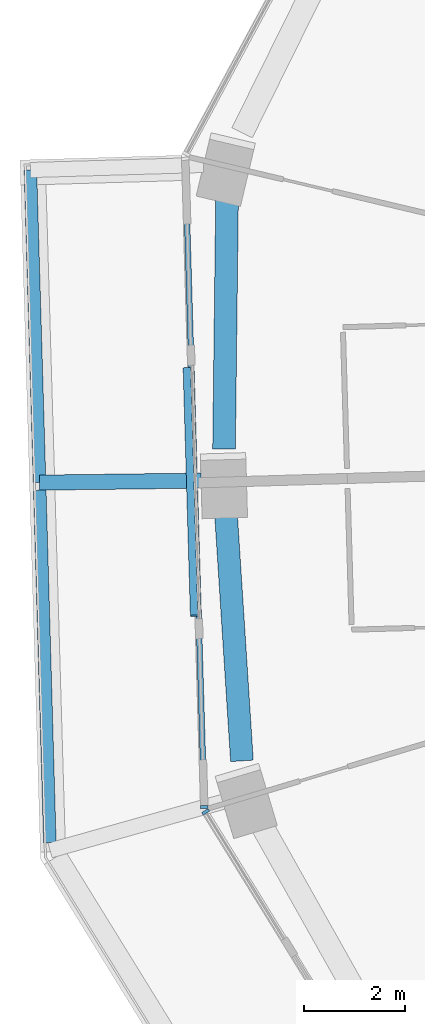
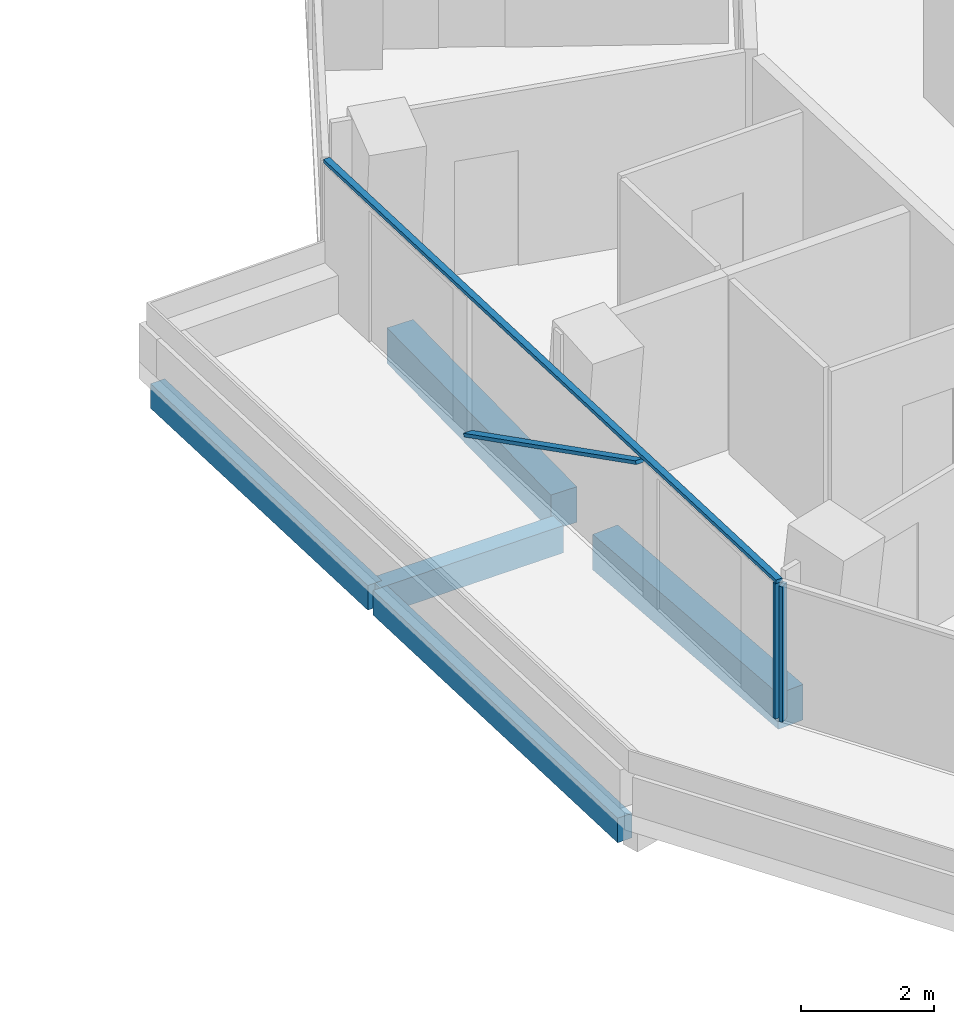
# One storey, part 4 of 22: 5 beams, 4 members, 2 elements without a shape of their own.
"""IFC4 building model written with IfcOpenShell, lengths in metres."""

from ifc_helpers import new_model, si_unit, direction, frame, origin, origin_2d, place, context, subcontext, project, spatial, rectangle, extrude, material, layer, layer_set, material_profile, profile_set, type_object, element, aggregate, save


model = new_model("IFC4")

# Units and contexts
model_context = context("Model", 3, precision=1e-05, world=origin(), true_north=direction((0.0, 1.0)))
body_context = subcontext(model_context, "Body", "Model", "MODEL_VIEW")
ifc_project = project(units=[si_unit("LENGTHUNIT", "METRE"), si_unit("AREAUNIT", "SQUARE_METRE"), si_unit("VOLUMEUNIT", "CUBIC_METRE"), si_unit("PLANEANGLEUNIT", "RADIAN"), si_unit("MASSUNIT", "GRAM", prefix="KILO")], contexts=[model_context])

# Site, building, storey
site_placement = place(None, origin())
site = spatial("IfcSite", under=ifc_project, at=site_placement, CompositionType="ELEMENT")
building_placement = place(site_placement, origin())
building = spatial("IfcBuilding", under=site, at=building_placement, Name="Verdalira Terraces Hotel", CompositionType="ELEMENT")
storey_placement = place(building_placement, frame((0.0, 0.0, 162.0)))
storey = spatial("IfcBuildingStorey", under=building, at=storey_placement, Name="L39", CompositionType="ELEMENT", Elevation=162.0)

# Beams
ifc_material_1 = material(Name="Concrete C40", Category="concrete")
ifc_material_profile_1 = material_profile(ifc_material_1, rectangle(XDim=0.300049, YDim=0.5, at=origin_2d()), Name="RC 300X500")
ifc_profile_set_1 = profile_set([ifc_material_profile_1], Name="Concrete C40")
beam_type_1 = type_object("IfcBeamType", Name="Balcony cantilever beam RC 300X500 C40", PredefinedType="BEAM", material=ifc_profile_set_1)
beam_1_placement = place(storey_placement, frame((-24.048828, -0.662842, -0.560059), z_axis=(-0.999921765, -0.012508556, 0.0), x_axis=(0.012508556, -0.999921765, 0.0)))
element("IfcBeam", 1, at=beam_1_placement, inside=storey, type_object=beam_type_1, Name="Balcony cantilever beam R12-4", PredefinedType="BEAM", context=body_context, shape_type="SweptSolid", body=[
    extrude(rectangle(XDim=0.300049, YDim=0.5, at=origin_2d()), origin(), (0.0, 0.0, 1.0), 3.200928),
])
ifc_material_2 = material(Name="Concrete C40", Category="concrete")
ifc_material_profile_2 = material_profile(ifc_material_2, rectangle(XDim=0.25, YDim=0.449951, at=origin_2d()), Name="RC 250X450")
ifc_profile_set_2 = profile_set([ifc_material_profile_2], Name="Concrete C40")
beam_type_2 = type_object("IfcBeamType", Name="Balcony edge beam RC 250X450 C40", PredefinedType="BEAM", material=ifc_profile_set_2)
beam_2_placement = place(storey_placement, frame((-27.431152, 5.494385, -0.534912), z_axis=(0.02929722, -0.999570744, 0.0), x_axis=(0.999570744, 0.02929722, 0.0)))
element("IfcBeam", 2, at=beam_2_placement, inside=storey, type_object=beam_type_2, Name="Balcony edge beam R12-2", PredefinedType="BEAM", context=body_context, shape_type="SweptSolid", body=[
    extrude(rectangle(XDim=0.25, YDim=0.449951, at=origin_2d()), origin(), (0.0, 0.0, 1.0), 6.199951),
])
beam_3_placement = place(storey_placement, frame((-27.245117, -0.852783, -0.534912), z_axis=(0.028498954, -0.999593822, 0.0), x_axis=(0.999593822, 0.028498954, 0.0)))
element("IfcBeam", 3, at=beam_3_placement, inside=storey, type_object=beam_type_2, Name="Balcony edge beam R12-3", PredefinedType="BEAM", context=body_context, shape_type="SweptSolid", body=[
    extrude(rectangle(XDim=0.25, YDim=0.449951, at=origin_2d()), origin(), (0.0, 0.0, 1.0), 6.990479),
])

# Curtain wall, member
ifc_material_3 = material(Name="Clear glass", Category="glass")
ifc_layer = layer(ifc_material_3, 0.14990234375)
ifc_layer_set = layer_set([ifc_layer], Name="CW1 curtain wall")
curtain_wall_type = type_object("IfcCurtainWallType", Name="CW1 curtain wall", PredefinedType="NOTDEFINED", material=ifc_layer_set)
curtain_wall_1_placement = place(storey_placement, origin())
curtain_wall_1 = element("IfcCurtainWall", 4, at=curtain_wall_1_placement, inside=storey, type_object=curtain_wall_type, Name="CW1 curtain wall L39 edge 12", PredefinedType="NOTDEFINED")
ifc_material_4 = material(Name="Terracotta frame", Category="masonry")
ifc_material_profile_3 = material_profile(ifc_material_4, rectangle(XDim=0.060059, YDim=0.149902, at=origin_2d()), Name="MU 60x150")
ifc_profile_set_3 = profile_set([ifc_material_profile_3], Name="Terracotta frame")
member_type_1 = type_object("IfcMemberType", Name="CW1 mullion 60x150", PredefinedType="MULLION", material=ifc_profile_set_3)
member_1_placement = place(storey_placement, frame((-23.984375, -7.135986, 0.0), z_axis=(0.0, 0.0, 1.0), x_axis=(0.02931733, -0.999570155, 0.0)))
member_1 = element("IfcMember", 5, at=member_1_placement, type_object=member_type_1, Name="CW1 mullion", PredefinedType="MULLION", context=body_context, shape_type="SweptSolid", body=[
    extrude(rectangle(XDim=0.060059, YDim=0.149902, at=origin_2d()), origin(), (0.0, 0.0, 1.0), 2.475098),
])

curtain_wall_2_placement = place(storey_placement, origin())
curtain_wall_2 = element("IfcCurtainWall", 6, at=curtain_wall_2_placement, inside=storey, type_object=curtain_wall_type, Name="CW1 curtain wall L39 edge 13", PredefinedType="NOTDEFINED")
member_2_placement = place(storey_placement, frame((-23.956543, -7.22876, 0.0), z_axis=(0.0, 0.0, 1.0), x_axis=(0.52517463, -0.850994482, 0.0)))
member_2 = element("IfcMember", 7, at=member_2_placement, type_object=member_type_1, Name="CW1 mullion", PredefinedType="MULLION", context=body_context, shape_type="SweptSolid", body=[
    extrude(rectangle(XDim=0.060059, YDim=0.149902, at=origin_2d()), origin(), (0.0, 0.0, 1.0), 2.475098),
])
aggregate(curtain_wall_2, [member_2])

# Member
ifc_material_5 = material(Name="Terracotta frame", Category="masonry")
ifc_material_profile_4 = material_profile(ifc_material_5, rectangle(XDim=0.110107, YDim=0.064941, at=origin_2d()), Name="TR 65x110")
ifc_profile_set_4 = profile_set([ifc_material_profile_4], Name="Terracotta frame")
member_type_2 = type_object("IfcMemberType", Name="CW1 transom 65x110", PredefinedType="USERDEFINED", material=ifc_profile_set_4)
member_3_placement = place(storey_placement, frame((-24.362305, 5.748047, 2.507568), z_axis=(0.029309091, -0.999570396, 0.0), x_axis=(0.999570396, 0.029309091, 0.0)))
member_3 = element("IfcMember", 8, at=member_3_placement, type_object=member_type_2, Name="CW1 transom", ObjectType="TRANSOM", PredefinedType="USERDEFINED", context=body_context, shape_type="SweptSolid", body=[
    extrude(rectangle(XDim=0.110107, YDim=0.064941, at=origin_2d()), origin(), (0.0, 0.0, 1.0), 12.919678),
])

ifc_material_6 = material(Name="Terracotta frame", Category="masonry")
ifc_material_profile_5 = material_profile(ifc_material_6, rectangle(XDim=0.149902, YDim=0.060059, at=origin_2d()), Name="GB 60x150")
ifc_profile_set_5 = profile_set([ifc_material_profile_5], Name="Terracotta frame")
member_type_3 = type_object("IfcMemberType", Name="Diagonal glazing bar 60x150", PredefinedType="USERDEFINED", material=ifc_profile_set_5)
member_4_placement = place(storey_placement, frame((-24.328613, 1.562988, 0.027832), z_axis=(0.026275676, -0.896584967, 0.442091603), x_axis=(0.999570844, 0.029293822, 0.0)))
member_4 = element("IfcMember", 9, at=member_4_placement, type_object=member_type_3, Name="Diagonal glazing bar", ObjectType="GLAZING BAR", PredefinedType="USERDEFINED", context=body_context, shape_type="SweptSolid", body=[
    extrude(rectangle(XDim=0.149902, YDim=0.060059, at=origin_2d()), origin(), (0.0, 0.0, 1.0), 5.472656),
])

aggregate(curtain_wall_1, [member_1, member_3, member_4])

# Beams
ifc_material_7 = material(Name="Concrete C50", Category="concrete")
ifc_material_profile_6 = material_profile(ifc_material_7, rectangle(XDim=0.449951, YDim=0.649902, at=origin_2d()), Name="RC 450X650")
ifc_profile_set_6 = profile_set([ifc_material_profile_6], Name="Concrete C50")
beam_type_3 = type_object("IfcBeamType", Name="Spandrel beam RC 450X650 C50", PredefinedType="SPANDREL", material=ifc_profile_set_6)
beam_4_placement = place(storey_placement, frame((-23.532227, 4.980713, -0.63501), z_axis=(-0.012023277, -0.999927718, 0.0), x_axis=(0.999927718, -0.012023277, 0.0)))
element("IfcBeam", 10, at=beam_4_placement, inside=storey, type_object=beam_type_3, Name="Spandrel beam B04", PredefinedType="SPANDREL", context=body_context, shape_type="SweptSolid", body=[
    extrude(rectangle(XDim=0.449951, YDim=0.649902, at=origin_2d()), origin(), (0.0, 0.0, 1.0), 5.015381),
])
beam_5_placement = place(storey_placement, frame((-23.561035, -1.216797, -0.63501), z_axis=(0.064540319, -0.9979151, 0.0), x_axis=(0.9979151, 0.064540319, 0.0)))
element("IfcBeam", 11, at=beam_5_placement, inside=storey, type_object=beam_type_3, Name="Spandrel beam B05", PredefinedType="SPANDREL", context=body_context, shape_type="SweptSolid", body=[
    extrude(rectangle(XDim=0.449951, YDim=0.649902, at=origin_2d()), origin(), (0.0, 0.0, 1.0), 5.012207),
])

save(model, "model.ifc")
